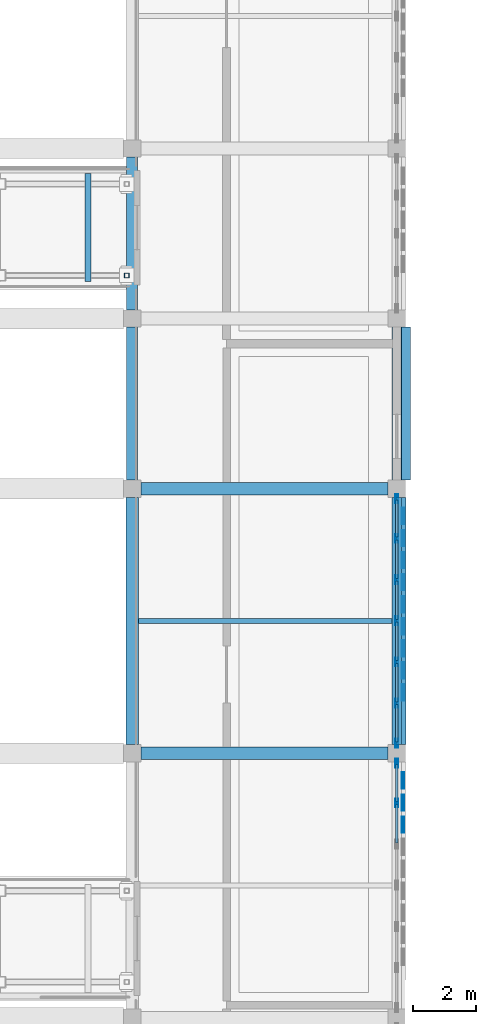
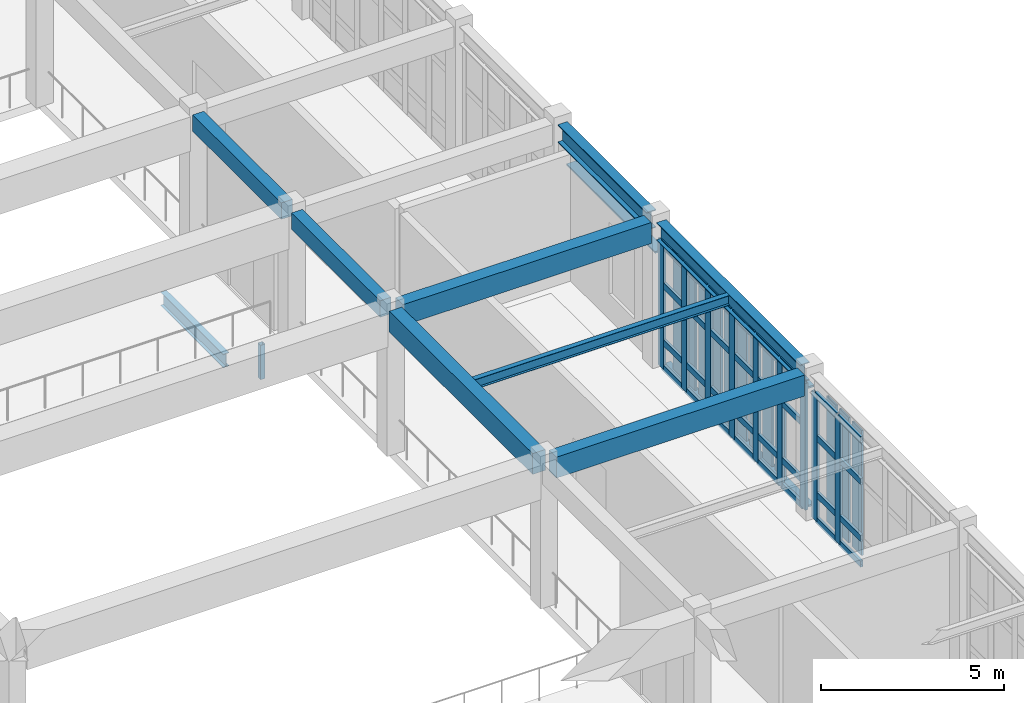
# One storey, part 28 of 77: 57 members, 9 beams, 2 elements without a shape of their own.
"""IFC4 building model written with IfcOpenShell, lengths in metres."""

import ifcopenshell
import ifcopenshell.guid

model = None  # the IFC model being written
_history = None  # IfcOwnerHistory: only IFC2X3 demands one
_inside = {}  # id of a spatial element -> (the spatial element, [elements in it])
_under = {}  # id of a project, library or spatial element -> (it, [spatial elements below it])
_declared = {}  # id of a project -> (the project, [libraries it declares])
_typed = {}  # id of a type object -> (the type object, [elements of that type])
_made_of = {}  # id of a material, layer set ... -> (it, [elements and type objects made of it])


def new_model(schema):
    """Start an empty IFC model of exactly this schema.

    Asked for "IFC4X3", IfcOpenShell would pick the latest addendum, in which some entities
    have other attributes; the version numbers below select the first issue.
    IFC2X3 requires an IfcOwnerHistory on every rooted entity: one is made here for all.
    """
    global model, _history
    if schema == "IFC4X3":
        model = ifcopenshell.file(schema_version=(4, 3, 0, 0))
    else:
        model = ifcopenshell.file(schema=schema)
    _inside.clear()
    _under.clear()
    _declared.clear()
    _typed.clear()
    _made_of.clear()
    _history = None
    if model.schema == "IFC2X3":
        org = make("IfcOrganization", Name="unknown")
        user = make(
            "IfcPersonAndOrganization",
            ThePerson=make("IfcPerson", FamilyName="unknown"),
            TheOrganization=org,
        )
        app = make(
            "IfcApplication",
            ApplicationDeveloper=org,
            Version="unknown",
            ApplicationFullName="unknown",
            ApplicationIdentifier="unknown",
        )
        _history = make(
            "IfcOwnerHistory",
            OwningUser=user,
            OwningApplication=app,
            ChangeAction="ADDED",
            CreationDate=0,
        )
    return model


def make(cls, **values):
    """One entity of the class cls with the attributes given. An attribute that is None is left unset."""
    return model.create_entity(
        cls, **{name: value for name, value in values.items() if value is not None}
    )


def rooted(cls, **values):
    """An entity with a GlobalId (a new one), such as an element, a storey or a relation."""
    return make(cls, GlobalId=ifcopenshell.guid.new(), OwnerHistory=_history, **values)


def si_unit(unit_type, name, prefix=None):
    """IfcSIUnit, for example si_unit("LENGTHUNIT", "METRE", prefix="MILLI")."""
    return make("IfcSIUnit", UnitType=unit_type, Prefix=prefix, Name=name)


def assignment(units):
    """IfcUnitAssignment: the units of a project."""
    return None if units is None else make("IfcUnitAssignment", Units=units)


def point(xyz):
    """IfcCartesianPoint."""
    return None if xyz is None else make("IfcCartesianPoint", Coordinates=xyz)


def direction(xyz):
    """IfcDirection."""
    return None if xyz is None else make("IfcDirection", DirectionRatios=xyz)


def frame(location, z_axis=None, x_axis=None):
    """IfcAxis2Placement3D, a coordinate frame: its origin and axes. An axis left out is left unset."""
    return make(
        "IfcAxis2Placement3D",
        Location=point(location),
        Axis=direction(z_axis),
        RefDirection=direction(x_axis),
    )


def frame_2d(location, x_axis=None):
    """IfcAxis2Placement2D, a coordinate frame in the plane: its origin and x axis."""
    return make(
        "IfcAxis2Placement2D", Location=point(location), RefDirection=direction(x_axis)
    )


def origin():
    """The frame at (0, 0, 0) with its axes left unset."""
    return frame((0.0, 0.0, 0.0))


def origin_2d():
    """The frame at (0, 0) in the plane with its x axis left unset."""
    return frame_2d((0.0, 0.0))


def place(relative_to, where):
    """IfcLocalPlacement: puts the frame where relative to a parent placement (None: the world)."""
    return make(
        "IfcLocalPlacement", PlacementRelTo=relative_to, RelativePlacement=where
    )


def context(
    kind, dimensions, precision=None, world=None, true_north=None, identifier=None
):
    """IfcGeometricRepresentationContext, for example the 3D "Model" context."""
    return make(
        "IfcGeometricRepresentationContext",
        ContextIdentifier=identifier,
        ContextType=kind,
        CoordinateSpaceDimension=dimensions,
        Precision=precision,
        WorldCoordinateSystem=world,
        TrueNorth=true_north,
    )


def subcontext(parent, identifier, kind, view, scale=None):
    """IfcGeometricRepresentationSubContext, for example "Body" below "Model"."""
    return make(
        "IfcGeometricRepresentationSubContext",
        ContextIdentifier=identifier,
        ContextType=kind,
        ParentContext=parent,
        TargetScale=scale,
        TargetView=view,
    )


def project(units=None, contexts=None):
    """IfcProject with its units and contexts."""
    return rooted(
        "IfcProject",
        Name="project",
        RepresentationContexts=contexts,
        UnitsInContext=assignment(units),
    )


def spatial(cls, under=None, at=None, **own):
    """A site, building, storey or space (cls), placed at a placement, below another one or the project."""
    s = rooted(cls, ObjectPlacement=at, **own)
    if under is not None:
        _under.setdefault(under.id(), (under, []))[1].append(s)
    return s


def profile(cls, at=None, kind="AREA", **sizes):
    """A parametric profile (cls). Its sizes go by their IFC names, for example OverallWidth=200.0."""
    return make(cls, ProfileType=kind, Position=at, **sizes)


def rectangle(**sizes):
    """IfcRectangleProfileDef."""
    return profile("IfcRectangleProfileDef", **sizes)


def hollow_rectangle(**sizes):
    """IfcRectangleHollowProfileDef."""
    return profile("IfcRectangleHollowProfileDef", **sizes)


def i_section(**sizes):
    """IfcIShapeProfileDef."""
    return profile("IfcIShapeProfileDef", **sizes)


def extrude(swept, where, along, depth):
    """IfcExtrudedAreaSolid: the profile swept, set in the frame where, extruded along a direction by depth."""
    return make(
        "IfcExtrudedAreaSolid",
        SweptArea=swept,
        Position=where,
        ExtrudedDirection=direction(along),
        Depth=depth,
    )


def shape(context_of_items, identifier, shape_type, items):
    """IfcShapeRepresentation: the items that make up one representation, for example the "Body"."""
    return make(
        "IfcShapeRepresentation",
        ContextOfItems=context_of_items,
        RepresentationIdentifier=identifier,
        RepresentationType=shape_type,
        Items=items,
    )


def material(Name=None, Category=None):
    """IfcMaterial."""
    return make("IfcMaterial", Name=Name, Category=Category)


def layer(
    of_material, thickness, ventilated=None, Name=None, Category=None, Priority=None
):
    """IfcMaterialLayer: one layer of a wall or slab, of a material (None: an air gap)."""
    return make(
        "IfcMaterialLayer",
        Material=of_material,
        LayerThickness=thickness,
        IsVentilated=ventilated,
        Name=Name,
        Category=Category,
        Priority=Priority,
    )


def layer_set(layers, Name=None):
    """IfcMaterialLayerSet."""
    return make("IfcMaterialLayerSet", MaterialLayers=layers, LayerSetName=Name)


def material_profile(
    of_material, cross_section, Name=None, Category=None, Priority=None
):
    """IfcMaterialProfile: a cross section and its material."""
    return make(
        "IfcMaterialProfile",
        Name=Name,
        Material=of_material,
        Profile=cross_section,
        Priority=Priority,
        Category=Category,
    )


def profile_set(profiles, Name=None, composite=None):
    """IfcMaterialProfileSet."""
    return make(
        "IfcMaterialProfileSet",
        Name=Name,
        MaterialProfiles=profiles,
        CompositeProfile=composite,
    )


def made_of(thing, what):
    """Note that an element or type object is made of a material, layer set ...; save() writes the relation."""
    if what is not None:
        _made_of.setdefault(what.id(), (what, []))[1].append(thing)
    return thing


def type_object(cls, material=None, **own):
    """A type object (cls), such as IfcWallType, which elements share."""
    return made_of(rooted(cls, **own), material)


def element(
    cls,
    number,
    at=None,
    inside=None,
    cuts=None,
    type_object=None,
    material=None,
    context=None,
    identifier="Body",
    shape_type=None,
    held_by="IfcProductDefinitionShape",
    body=None,
    shapes=None,
    **own,
):
    """One element of the class cls, such as IfcWall. Its Tag is "e" and its number.

    at: its placement. inside: the storey or other place that contains it. cuts: it is an
    opening in that element (IfcRelVoidsElement). A single representation is given by context,
    identifier, shape_type and body (its items); several are given by shapes. held_by: the class
    of the entity that holds the representations. save() writes the other relations.
    """
    e = rooted(cls, Tag="e%d" % number, ObjectPlacement=at, **own)
    if body is not None:
        shapes = [shape(context, identifier, shape_type, body)]
    if shapes is not None:
        e.Representation = make(held_by, Representations=shapes)
    if inside is not None:
        _inside.setdefault(inside.id(), (inside, []))[1].append(e)
    if cuts is not None:
        rooted(
            "IfcRelVoidsElement", RelatingBuildingElement=cuts, RelatedOpeningElement=e
        )
    if type_object is not None:
        _typed.setdefault(type_object.id(), (type_object, []))[1].append(e)
    return made_of(e, material)


def aggregate(whole, parts):
    """IfcRelAggregates: a whole, such as a stair, and the parts it consists of."""
    return rooted("IfcRelAggregates", RelatingObject=whole, RelatedObjects=parts)


def save(model, path):
    """Write the relations noted so far, then the file.

    IfcRelAggregates (storeys below a building ...), IfcRelContainedInSpatialStructure (elements
    in a storey), IfcRelDefinesByType, IfcRelAssociatesMaterial and IfcRelDeclares: one each for
    every whole, place, type object, material and project.
    """
    for whole, parts in _under.values():
        aggregate(whole, parts)
    for where, things in _inside.values():
        rooted(
            "IfcRelContainedInSpatialStructure",
            RelatedElements=things,
            RelatingStructure=where,
        )
    for kind, things in _typed.values():
        rooted("IfcRelDefinesByType", RelatedObjects=things, RelatingType=kind)
    for what, things in _made_of.values():
        rooted("IfcRelAssociatesMaterial", RelatedObjects=things, RelatingMaterial=what)
    for by, libraries in _declared.values():
        rooted("IfcRelDeclares", RelatingContext=by, RelatedDefinitions=libraries)
    model.write(path)


model = new_model("IFC4")

# Units and contexts
model_context = context("Model", 3, precision=1e-05, world=origin(), true_north=direction((0.0, 1.0)))
body_context = subcontext(model_context, "Body", "Model", "MODEL_VIEW")
ifc_project = project(units=[si_unit("LENGTHUNIT", "METRE"), si_unit("AREAUNIT", "SQUARE_METRE"), si_unit("VOLUMEUNIT", "CUBIC_METRE"), si_unit("PLANEANGLEUNIT", "RADIAN"), si_unit("MASSUNIT", "GRAM", prefix="KILO")], contexts=[model_context])

# Site, building, storey
site_placement = place(None, origin())
site = spatial("IfcSite", under=ifc_project, at=site_placement, CompositionType="ELEMENT")
building_placement = place(site_placement, origin())
building = spatial("IfcBuilding", under=site, at=building_placement, Name="Krzemoval Escarpment Law Courts", CompositionType="ELEMENT")
storey_placement = place(building_placement, frame((0.0, 0.0, 15.300048828125)))
storey = spatial("IfcBuildingStorey", under=building, at=storey_placement, Name="L03", CompositionType="ELEMENT", Elevation=15.300048828125)

# Beams
ifc_material_1 = material(Name="Concrete C40/50", Category="concrete")
ifc_material_profile_1 = material_profile(ifc_material_1, rectangle(XDim=0.35009765625, YDim=0.550048828125, at=origin_2d()), Name="RCB 350x550")
ifc_profile_set_1 = profile_set([ifc_material_profile_1], Name="Concrete C40/50")
beam_type_1 = type_object("IfcBeamType", Name="BM-RC-350x550", PredefinedType="BEAM", material=ifc_profile_set_1)
beam_1_placement = place(storey_placement, frame((33.60009765625, 74.675048828125, 4.56494140625), z_axis=(0.0, 1.0, 0.0), x_axis=(-1.0, 0.0, 0.0)))
element("IfcBeam", 1, at=beam_1_placement, inside=storey, type_object=beam_type_1, Name="Beam FG-L03-2255", PredefinedType="BEAM", context=body_context, shape_type="SweptSolid", body=[
    extrude(rectangle(XDim=0.35009765625, YDim=0.550048828125, at=origin_2d()), origin(), (0.0, 0.0, 1.0), 4.849853515625),
])
beam_2_placement = place(storey_placement, frame((33.60009765625, 80.074951171875, 4.56494140625), z_axis=(0.0, 1.0, 0.0), x_axis=(-1.0, 0.0, 0.0)))
element("IfcBeam", 2, at=beam_2_placement, inside=storey, type_object=beam_type_1, Name="Beam FG-L03-2256", PredefinedType="BEAM", context=body_context, shape_type="SweptSolid", body=[
    extrude(rectangle(XDim=0.35009765625, YDim=0.550048828125, at=origin_2d()), origin(), (0.0, 0.0, 1.0), 4.85009765625),
])
ifc_material_2 = material(Name="Concrete C40/50", Category="concrete")
ifc_material_profile_2 = material_profile(ifc_material_2, rectangle(XDim=0.39990234375, YDim=0.699951171875, at=origin_2d()), Name="RCB 400x700")
ifc_profile_set_2 = profile_set([ifc_material_profile_2], Name="Concrete C40/50")
beam_type_2 = type_object("IfcBeamType", Name="BM-RC-400x700", PredefinedType="BEAM", material=ifc_profile_set_2)
for number, where, z_axis, x_axis, name in (
    (3, (33.875, 66.0, 4.489990234375), (1.0, 0.0, 0.0), (0.0, 1.0, 0.0), "Beam FG-L03-2162"),
    (4, (33.875, 74.39990234375, 4.489990234375), (1.0, 0.0, 0.0), (0.0, 1.0, 0.0), "Beam FG-L03-2165"),
    (5, (33.60009765625, 66.27490234375, 4.489990234375), (0.0, 1.0, 0.0), (-1.0, 0.0, 0.0), "Beam FG-L03-2254"),
):
    element("IfcBeam", number, at=place(storey_placement, frame(where, z_axis=z_axis, x_axis=x_axis)), inside=storey, type_object=beam_type_2, Name=name, PredefinedType="BEAM", context=body_context, shape_type="SweptSolid", body=[
        extrude(rectangle(XDim=0.39990234375, YDim=0.699951171875, at=origin_2d()), origin(), (0.0, 0.0, 1.0), 7.85009765625),
    ])
ifc_material_3 = material(Name="Steel S355", Category="steel")
ifc_material_profile_3 = material_profile(ifc_material_3, i_section(OverallWidth=0.18994140625, OverallDepth=0.449951171875, WebThickness=0.009521484375, FlangeThickness=0.0146484375, at=origin_2d()), Name="IPE 450")
ifc_profile_set_3 = profile_set([ifc_material_profile_3], Name="Steel S355")
beam_type_3 = type_object("IfcBeamType", Name="BM-S355-IPE450", PredefinedType="BEAM", material=ifc_profile_set_3)
beam_3_placement = place(storey_placement, frame((32.199951171875, 80.969970703125, -0.525146484375), z_axis=(0.0, 1.0, 0.0), x_axis=(-1.0, 0.0, 0.0)))
element("IfcBeam", 6, at=beam_3_placement, inside=storey, type_object=beam_type_3, Name="Bridge Cross Beam BBMN-L03-05", PredefinedType="BEAM", context=body_context, shape_type="SweptSolid", body=[
    extrude(i_section(OverallWidth=0.18994140625, OverallDepth=0.449951171875, WebThickness=0.009521484375, FlangeThickness=0.0146484375, at=origin_2d()), origin(), (0.0, 0.0, 1.0), 3.429931640625),
])

# Curtain wall, members
ifc_material_4 = material(Name="Aluminium 6063-T6", Category="aluminium")
ifc_layer = layer(ifc_material_4, 0.280029296875)
ifc_layer_set = layer_set([ifc_layer], Name="Aluminium 6063-T6")
curtain_wall_type = type_object("IfcCurtainWallType", Name="CW-HALL-5100", PredefinedType="USERDEFINED", material=ifc_layer_set)
curtain_wall_1_placement = place(storey_placement, origin())
curtain_wall_1 = element("IfcCurtainWall", 7, at=curtain_wall_1_placement, inside=storey, type_object=curtain_wall_type, Name="Unitised Curtain Wall FCW-L03-108", ObjectType="UNITISED_CURTAIN_WALL", PredefinedType="USERDEFINED")
ifc_material_5 = material(Name="Aluminium 6063-T6", Category="aluminium")
ifc_material_profile_4 = material_profile(ifc_material_5, hollow_rectangle(XDim=0.0849609375, YDim=0.280029296875, WallThickness=0.005615234375, at=origin_2d()), Name="ALU M85x280")
ifc_profile_set_4 = profile_set([ifc_material_profile_4], Name="Aluminium 6063-T6")
member_type_1 = type_object("IfcMemberType", Name="CWM-85x280", PredefinedType="MULLION", material=ifc_profile_set_4)
member_1_placement = place(storey_placement, frame((42.0, 74.08251953125, 0.0), z_axis=(0.0, 0.0, 1.0), x_axis=(1.0, 0.0, 0.0)))
member_1 = element("IfcMember", 8, at=member_1_placement, type_object=member_type_1, Name="FCW-L03-108 mullion 1", PredefinedType="MULLION", context=body_context, shape_type="SweptSolid", body=[
    extrude(hollow_rectangle(XDim=0.0849609375, YDim=0.280029296875, WallThickness=0.005615234375, at=origin_2d()), origin(), (0.0, 0.0, 1.0), 4.239990234375),
])
member_2_placement = place(storey_placement, frame((42.0, 72.816650390625, 0.0), z_axis=(0.0, 0.0, 1.0), x_axis=(1.0, 0.0, 0.0)))
member_2 = element("IfcMember", 9, at=member_2_placement, type_object=member_type_1, Name="FCW-L03-108 mullion 2", PredefinedType="MULLION", context=body_context, shape_type="SweptSolid", body=[
    extrude(hollow_rectangle(XDim=0.0849609375, YDim=0.280029296875, WallThickness=0.005615234375, at=origin_2d()), origin(), (0.0, 0.0, 1.0), 4.239990234375),
])
member_3_placement = place(storey_placement, frame((42.0, 71.50830078125, 0.0), z_axis=(0.0, 0.0, 1.0), x_axis=(1.0, 0.0, 0.0)))
member_3 = element("IfcMember", 10, at=member_3_placement, type_object=member_type_1, Name="FCW-L03-108 mullion 3", PredefinedType="MULLION", context=body_context, shape_type="SweptSolid", body=[
    extrude(hollow_rectangle(XDim=0.0849609375, YDim=0.280029296875, WallThickness=0.005615234375, at=origin_2d()), origin(), (0.0, 0.0, 1.0), 4.239990234375),
])
member_4_placement = place(storey_placement, frame((42.0, 70.199951171875, 0.0), z_axis=(0.0, 0.0, 1.0), x_axis=(1.0, 0.0, 0.0)))
member_4 = element("IfcMember", 11, at=member_4_placement, type_object=member_type_1, Name="FCW-L03-108 mullion 4", PredefinedType="MULLION", context=body_context, shape_type="SweptSolid", body=[
    extrude(hollow_rectangle(XDim=0.0849609375, YDim=0.280029296875, WallThickness=0.005615234375, at=origin_2d()), origin(), (0.0, 0.0, 1.0), 4.239990234375),
])
member_5_placement = place(storey_placement, frame((42.0, 68.8916015625, 0.0), z_axis=(0.0, 0.0, 1.0), x_axis=(1.0, 0.0, 0.0)))
member_5 = element("IfcMember", 12, at=member_5_placement, type_object=member_type_1, Name="FCW-L03-108 mullion 5", PredefinedType="MULLION", context=body_context, shape_type="SweptSolid", body=[
    extrude(hollow_rectangle(XDim=0.0849609375, YDim=0.280029296875, WallThickness=0.005615234375, at=origin_2d()), origin(), (0.0, 0.0, 1.0), 4.239990234375),
])
member_6_placement = place(storey_placement, frame((42.0, 67.583251953125, 0.0), z_axis=(0.0, 0.0, 1.0), x_axis=(1.0, 0.0, 0.0)))
member_6 = element("IfcMember", 13, at=member_6_placement, type_object=member_type_1, Name="FCW-L03-108 mullion 6", PredefinedType="MULLION", context=body_context, shape_type="SweptSolid", body=[
    extrude(hollow_rectangle(XDim=0.0849609375, YDim=0.280029296875, WallThickness=0.005615234375, at=origin_2d()), origin(), (0.0, 0.0, 1.0), 4.239990234375),
])
member_7_placement = place(storey_placement, frame((42.0, 66.3173828125, 0.0), z_axis=(0.0, 0.0, 1.0), x_axis=(1.0, 0.0, 0.0)))
member_7 = element("IfcMember", 14, at=member_7_placement, type_object=member_type_1, Name="FCW-L03-108 mullion 7", PredefinedType="MULLION", context=body_context, shape_type="SweptSolid", body=[
    extrude(hollow_rectangle(XDim=0.0849609375, YDim=0.280029296875, WallThickness=0.005615234375, at=origin_2d()), origin(), (0.0, 0.0, 1.0), 4.239990234375),
])

curtain_wall_2_placement = place(storey_placement, origin())
curtain_wall_2 = element("IfcCurtainWall", 15, at=curtain_wall_2_placement, inside=storey, type_object=curtain_wall_type, Name="Unitised Curtain Wall FCW-L03-109", ObjectType="UNITISED_CURTAIN_WALL", PredefinedType="USERDEFINED")
member_8_placement = place(storey_placement, frame((42.0, 65.6826171875, 0.0), z_axis=(0.0, 0.0, 1.0), x_axis=(1.0, 0.0, 0.0)))
member_8 = element("IfcMember", 16, at=member_8_placement, type_object=member_type_1, Name="FCW-L03-109 mullion 1", PredefinedType="MULLION", context=body_context, shape_type="SweptSolid", body=[
    extrude(hollow_rectangle(XDim=0.0849609375, YDim=0.280029296875, WallThickness=0.005615234375, at=origin_2d()), origin(), (0.0, 0.0, 1.0), 4.239990234375),
])
member_9_placement = place(storey_placement, frame((42.0, 64.416748046875, 0.0), z_axis=(0.0, 0.0, 1.0), x_axis=(1.0, 0.0, 0.0)))
member_9 = element("IfcMember", 17, at=member_9_placement, type_object=member_type_1, Name="FCW-L03-109 mullion 2", PredefinedType="MULLION", context=body_context, shape_type="SweptSolid", body=[
    extrude(hollow_rectangle(XDim=0.0849609375, YDim=0.280029296875, WallThickness=0.005615234375, at=origin_2d()), origin(), (0.0, 0.0, 1.0), 4.239990234375),
])

# Member
ifc_material_6 = material(Name="Aluminium 6063-T6", Category="aluminium")
ifc_material_profile_5 = material_profile(ifc_material_6, hollow_rectangle(XDim=0.0849609375, YDim=0.2099609375, WallThickness=0.005615234375, at=origin_2d()), Name="ALU T85x210")
ifc_profile_set_5 = profile_set([ifc_material_profile_5], Name="Aluminium 6063-T6")
member_type_2 = type_object("IfcMemberType", Name="CWT-85x210", PredefinedType="USERDEFINED", material=ifc_profile_set_5)
member_10_placement = place(storey_placement, frame((42.0, 74.0400390625, 0.04248046875), z_axis=(0.0, -1.0, 0.0), x_axis=(1.0, 0.0, 0.0)))
member_10 = element("IfcMember", 18, at=member_10_placement, type_object=member_type_2, Name="FCW-L03-108 transom 1.1", ObjectType="TRANSOM", PredefinedType="USERDEFINED", context=body_context, shape_type="SweptSolid", body=[
    extrude(hollow_rectangle(XDim=0.0849609375, YDim=0.2099609375, WallThickness=0.005615234375, at=origin_2d()), origin(), (0.0, 0.0, 1.0), 1.180908203125),
])

member_11_placement = place(storey_placement, frame((42.0, 74.0400390625, 0.89990234375), z_axis=(0.0, -1.0, 0.0), x_axis=(1.0, 0.0, 0.0)))
member_11 = element("IfcMember", 19, at=member_11_placement, type_object=member_type_2, Name="FCW-L03-108 transom 1.2", ObjectType="TRANSOM", PredefinedType="USERDEFINED", context=body_context, shape_type="SweptSolid", body=[
    extrude(hollow_rectangle(XDim=0.0849609375, YDim=0.2099609375, WallThickness=0.005615234375, at=origin_2d()), origin(), (0.0, 0.0, 1.0), 1.180908203125),
])

member_12_placement = place(storey_placement, frame((42.0, 74.0400390625, 2.800048828125), z_axis=(0.0, -1.0, 0.0), x_axis=(1.0, 0.0, 0.0)))
member_12 = element("IfcMember", 20, at=member_12_placement, type_object=member_type_2, Name="FCW-L03-108 transom 1.3", ObjectType="TRANSOM", PredefinedType="USERDEFINED", context=body_context, shape_type="SweptSolid", body=[
    extrude(hollow_rectangle(XDim=0.0849609375, YDim=0.2099609375, WallThickness=0.005615234375, at=origin_2d()), origin(), (0.0, 0.0, 1.0), 1.180908203125),
])

member_13_placement = place(storey_placement, frame((42.0, 74.0400390625, 4.197509765625), z_axis=(0.0, -1.0, 0.0), x_axis=(1.0, 0.0, 0.0)))
member_13 = element("IfcMember", 21, at=member_13_placement, type_object=member_type_2, Name="FCW-L03-108 transom 1.4", ObjectType="TRANSOM", PredefinedType="USERDEFINED", context=body_context, shape_type="SweptSolid", body=[
    extrude(hollow_rectangle(XDim=0.0849609375, YDim=0.2099609375, WallThickness=0.005615234375, at=origin_2d()), origin(), (0.0, 0.0, 1.0), 1.180908203125),
])

member_14_placement = place(storey_placement, frame((42.0, 72.774169921875, 0.04248046875), z_axis=(0.0, -1.0, 0.0), x_axis=(1.0, 0.0, 0.0)))
member_14 = element("IfcMember", 22, at=member_14_placement, type_object=member_type_2, Name="FCW-L03-108 transom 2.1", ObjectType="TRANSOM", PredefinedType="USERDEFINED", context=body_context, shape_type="SweptSolid", body=[
    extrude(hollow_rectangle(XDim=0.0849609375, YDim=0.2099609375, WallThickness=0.005615234375, at=origin_2d()), origin(), (0.0, 0.0, 1.0), 1.223388671875),
])

member_15_placement = place(storey_placement, frame((42.0, 72.774169921875, 0.89990234375), z_axis=(0.0, -1.0, 0.0), x_axis=(1.0, 0.0, 0.0)))
member_15 = element("IfcMember", 23, at=member_15_placement, type_object=member_type_2, Name="FCW-L03-108 transom 2.2", ObjectType="TRANSOM", PredefinedType="USERDEFINED", context=body_context, shape_type="SweptSolid", body=[
    extrude(hollow_rectangle(XDim=0.0849609375, YDim=0.2099609375, WallThickness=0.005615234375, at=origin_2d()), origin(), (0.0, 0.0, 1.0), 1.223388671875),
])

member_16_placement = place(storey_placement, frame((42.0, 72.774169921875, 2.800048828125), z_axis=(0.0, -1.0, 0.0), x_axis=(1.0, 0.0, 0.0)))
member_16 = element("IfcMember", 24, at=member_16_placement, type_object=member_type_2, Name="FCW-L03-108 transom 2.3", ObjectType="TRANSOM", PredefinedType="USERDEFINED", context=body_context, shape_type="SweptSolid", body=[
    extrude(hollow_rectangle(XDim=0.0849609375, YDim=0.2099609375, WallThickness=0.005615234375, at=origin_2d()), origin(), (0.0, 0.0, 1.0), 1.223388671875),
])

member_17_placement = place(storey_placement, frame((42.0, 72.774169921875, 4.197509765625), z_axis=(0.0, -1.0, 0.0), x_axis=(1.0, 0.0, 0.0)))
member_17 = element("IfcMember", 25, at=member_17_placement, type_object=member_type_2, Name="FCW-L03-108 transom 2.4", ObjectType="TRANSOM", PredefinedType="USERDEFINED", context=body_context, shape_type="SweptSolid", body=[
    extrude(hollow_rectangle(XDim=0.0849609375, YDim=0.2099609375, WallThickness=0.005615234375, at=origin_2d()), origin(), (0.0, 0.0, 1.0), 1.223388671875),
])

member_18_placement = place(storey_placement, frame((42.0, 71.4658203125, 0.04248046875), z_axis=(0.0, -1.0, 0.0), x_axis=(1.0, 0.0, 0.0)))
member_18 = element("IfcMember", 26, at=member_18_placement, type_object=member_type_2, Name="FCW-L03-108 transom 3.1", ObjectType="TRANSOM", PredefinedType="USERDEFINED", context=body_context, shape_type="SweptSolid", body=[
    extrude(hollow_rectangle(XDim=0.0849609375, YDim=0.2099609375, WallThickness=0.005615234375, at=origin_2d()), origin(), (0.0, 0.0, 1.0), 1.223388671875),
])

member_19_placement = place(storey_placement, frame((42.0, 71.4658203125, 0.89990234375), z_axis=(0.0, -1.0, 0.0), x_axis=(1.0, 0.0, 0.0)))
member_19 = element("IfcMember", 27, at=member_19_placement, type_object=member_type_2, Name="FCW-L03-108 transom 3.2", ObjectType="TRANSOM", PredefinedType="USERDEFINED", context=body_context, shape_type="SweptSolid", body=[
    extrude(hollow_rectangle(XDim=0.0849609375, YDim=0.2099609375, WallThickness=0.005615234375, at=origin_2d()), origin(), (0.0, 0.0, 1.0), 1.223388671875),
])

member_20_placement = place(storey_placement, frame((42.0, 71.4658203125, 2.800048828125), z_axis=(0.0, -1.0, 0.0), x_axis=(1.0, 0.0, 0.0)))
member_20 = element("IfcMember", 28, at=member_20_placement, type_object=member_type_2, Name="FCW-L03-108 transom 3.3", ObjectType="TRANSOM", PredefinedType="USERDEFINED", context=body_context, shape_type="SweptSolid", body=[
    extrude(hollow_rectangle(XDim=0.0849609375, YDim=0.2099609375, WallThickness=0.005615234375, at=origin_2d()), origin(), (0.0, 0.0, 1.0), 1.223388671875),
])

member_21_placement = place(storey_placement, frame((42.0, 71.4658203125, 4.197509765625), z_axis=(0.0, -1.0, 0.0), x_axis=(1.0, 0.0, 0.0)))
member_21 = element("IfcMember", 29, at=member_21_placement, type_object=member_type_2, Name="FCW-L03-108 transom 3.4", ObjectType="TRANSOM", PredefinedType="USERDEFINED", context=body_context, shape_type="SweptSolid", body=[
    extrude(hollow_rectangle(XDim=0.0849609375, YDim=0.2099609375, WallThickness=0.005615234375, at=origin_2d()), origin(), (0.0, 0.0, 1.0), 1.223388671875),
])

member_22_placement = place(storey_placement, frame((42.0, 70.157470703125, 0.04248046875), z_axis=(0.0, -1.0, 0.0), x_axis=(1.0, 0.0, 0.0)))
member_22 = element("IfcMember", 30, at=member_22_placement, type_object=member_type_2, Name="FCW-L03-108 transom 4.1", ObjectType="TRANSOM", PredefinedType="USERDEFINED", context=body_context, shape_type="SweptSolid", body=[
    extrude(hollow_rectangle(XDim=0.0849609375, YDim=0.2099609375, WallThickness=0.005615234375, at=origin_2d()), origin(), (0.0, 0.0, 1.0), 1.223388671875),
])

member_23_placement = place(storey_placement, frame((42.0, 70.157470703125, 0.89990234375), z_axis=(0.0, -1.0, 0.0), x_axis=(1.0, 0.0, 0.0)))
member_23 = element("IfcMember", 31, at=member_23_placement, type_object=member_type_2, Name="FCW-L03-108 transom 4.2", ObjectType="TRANSOM", PredefinedType="USERDEFINED", context=body_context, shape_type="SweptSolid", body=[
    extrude(hollow_rectangle(XDim=0.0849609375, YDim=0.2099609375, WallThickness=0.005615234375, at=origin_2d()), origin(), (0.0, 0.0, 1.0), 1.223388671875),
])

member_24_placement = place(storey_placement, frame((42.0, 70.157470703125, 2.800048828125), z_axis=(0.0, -1.0, 0.0), x_axis=(1.0, 0.0, 0.0)))
member_24 = element("IfcMember", 32, at=member_24_placement, type_object=member_type_2, Name="FCW-L03-108 transom 4.3", ObjectType="TRANSOM", PredefinedType="USERDEFINED", context=body_context, shape_type="SweptSolid", body=[
    extrude(hollow_rectangle(XDim=0.0849609375, YDim=0.2099609375, WallThickness=0.005615234375, at=origin_2d()), origin(), (0.0, 0.0, 1.0), 1.223388671875),
])

member_25_placement = place(storey_placement, frame((42.0, 70.157470703125, 4.197509765625), z_axis=(0.0, -1.0, 0.0), x_axis=(1.0, 0.0, 0.0)))
member_25 = element("IfcMember", 33, at=member_25_placement, type_object=member_type_2, Name="FCW-L03-108 transom 4.4", ObjectType="TRANSOM", PredefinedType="USERDEFINED", context=body_context, shape_type="SweptSolid", body=[
    extrude(hollow_rectangle(XDim=0.0849609375, YDim=0.2099609375, WallThickness=0.005615234375, at=origin_2d()), origin(), (0.0, 0.0, 1.0), 1.223388671875),
])

member_26_placement = place(storey_placement, frame((42.0, 68.84912109375, 0.04248046875), z_axis=(0.0, -1.0, 0.0), x_axis=(1.0, 0.0, 0.0)))
member_26 = element("IfcMember", 34, at=member_26_placement, type_object=member_type_2, Name="FCW-L03-108 transom 5.1", ObjectType="TRANSOM", PredefinedType="USERDEFINED", context=body_context, shape_type="SweptSolid", body=[
    extrude(hollow_rectangle(XDim=0.0849609375, YDim=0.2099609375, WallThickness=0.005615234375, at=origin_2d()), origin(), (0.0, 0.0, 1.0), 1.223388671875),
])

member_27_placement = place(storey_placement, frame((42.0, 68.84912109375, 0.89990234375), z_axis=(0.0, -1.0, 0.0), x_axis=(1.0, 0.0, 0.0)))
member_27 = element("IfcMember", 35, at=member_27_placement, type_object=member_type_2, Name="FCW-L03-108 transom 5.2", ObjectType="TRANSOM", PredefinedType="USERDEFINED", context=body_context, shape_type="SweptSolid", body=[
    extrude(hollow_rectangle(XDim=0.0849609375, YDim=0.2099609375, WallThickness=0.005615234375, at=origin_2d()), origin(), (0.0, 0.0, 1.0), 1.223388671875),
])

member_28_placement = place(storey_placement, frame((42.0, 68.84912109375, 2.800048828125), z_axis=(0.0, -1.0, 0.0), x_axis=(1.0, 0.0, 0.0)))
member_28 = element("IfcMember", 36, at=member_28_placement, type_object=member_type_2, Name="FCW-L03-108 transom 5.3", ObjectType="TRANSOM", PredefinedType="USERDEFINED", context=body_context, shape_type="SweptSolid", body=[
    extrude(hollow_rectangle(XDim=0.0849609375, YDim=0.2099609375, WallThickness=0.005615234375, at=origin_2d()), origin(), (0.0, 0.0, 1.0), 1.223388671875),
])

member_29_placement = place(storey_placement, frame((42.0, 68.84912109375, 4.197509765625), z_axis=(0.0, -1.0, 0.0), x_axis=(1.0, 0.0, 0.0)))
member_29 = element("IfcMember", 37, at=member_29_placement, type_object=member_type_2, Name="FCW-L03-108 transom 5.4", ObjectType="TRANSOM", PredefinedType="USERDEFINED", context=body_context, shape_type="SweptSolid", body=[
    extrude(hollow_rectangle(XDim=0.0849609375, YDim=0.2099609375, WallThickness=0.005615234375, at=origin_2d()), origin(), (0.0, 0.0, 1.0), 1.223388671875),
])

member_30_placement = place(storey_placement, frame((42.0, 67.540771484375, 0.04248046875), z_axis=(0.0, -1.0, 0.0), x_axis=(1.0, 0.0, 0.0)))
member_30 = element("IfcMember", 38, at=member_30_placement, type_object=member_type_2, Name="FCW-L03-108 transom 6.1", ObjectType="TRANSOM", PredefinedType="USERDEFINED", context=body_context, shape_type="SweptSolid", body=[
    extrude(hollow_rectangle(XDim=0.0849609375, YDim=0.2099609375, WallThickness=0.005615234375, at=origin_2d()), origin(), (0.0, 0.0, 1.0), 1.1806640625),
])

member_31_placement = place(storey_placement, frame((42.0, 67.540771484375, 0.89990234375), z_axis=(0.0, -1.0, 0.0), x_axis=(1.0, 0.0, 0.0)))
member_31 = element("IfcMember", 39, at=member_31_placement, type_object=member_type_2, Name="FCW-L03-108 transom 6.2", ObjectType="TRANSOM", PredefinedType="USERDEFINED", context=body_context, shape_type="SweptSolid", body=[
    extrude(hollow_rectangle(XDim=0.0849609375, YDim=0.2099609375, WallThickness=0.005615234375, at=origin_2d()), origin(), (0.0, 0.0, 1.0), 1.1806640625),
])

member_32_placement = place(storey_placement, frame((42.0, 67.540771484375, 2.800048828125), z_axis=(0.0, -1.0, 0.0), x_axis=(1.0, 0.0, 0.0)))
member_32 = element("IfcMember", 40, at=member_32_placement, type_object=member_type_2, Name="FCW-L03-108 transom 6.3", ObjectType="TRANSOM", PredefinedType="USERDEFINED", context=body_context, shape_type="SweptSolid", body=[
    extrude(hollow_rectangle(XDim=0.0849609375, YDim=0.2099609375, WallThickness=0.005615234375, at=origin_2d()), origin(), (0.0, 0.0, 1.0), 1.1806640625),
])

member_33_placement = place(storey_placement, frame((42.0, 67.540771484375, 4.197509765625), z_axis=(0.0, -1.0, 0.0), x_axis=(1.0, 0.0, 0.0)))
member_33 = element("IfcMember", 41, at=member_33_placement, type_object=member_type_2, Name="FCW-L03-108 transom 6.4", ObjectType="TRANSOM", PredefinedType="USERDEFINED", context=body_context, shape_type="SweptSolid", body=[
    extrude(hollow_rectangle(XDim=0.0849609375, YDim=0.2099609375, WallThickness=0.005615234375, at=origin_2d()), origin(), (0.0, 0.0, 1.0), 1.1806640625),
])

aggregate(curtain_wall_1, [member_1, member_2, member_3, member_4, member_5, member_6, member_7, member_10, member_11, member_12, member_13, member_14, member_15, member_16, member_17, member_18, member_19, member_20, member_21, member_22, member_23, member_24, member_25, member_26, member_27, member_28, member_29, member_30, member_31, member_32, member_33])

member_34_placement = place(storey_placement, frame((42.0, 65.639892578125, 0.04248046875), z_axis=(0.0, -1.0, 0.0), x_axis=(1.0, 0.0, 0.0)))
member_34 = element("IfcMember", 42, at=member_34_placement, type_object=member_type_2, Name="FCW-L03-109 transom 1.1", ObjectType="TRANSOM", PredefinedType="USERDEFINED", context=body_context, shape_type="SweptSolid", body=[
    extrude(hollow_rectangle(XDim=0.0849609375, YDim=0.2099609375, WallThickness=0.005615234375, at=origin_2d()), origin(), (0.0, 0.0, 1.0), 1.1806640625),
])

member_35_placement = place(storey_placement, frame((42.0, 65.639892578125, 0.89990234375), z_axis=(0.0, -1.0, 0.0), x_axis=(1.0, 0.0, 0.0)))
member_35 = element("IfcMember", 43, at=member_35_placement, type_object=member_type_2, Name="FCW-L03-109 transom 1.2", ObjectType="TRANSOM", PredefinedType="USERDEFINED", context=body_context, shape_type="SweptSolid", body=[
    extrude(hollow_rectangle(XDim=0.0849609375, YDim=0.2099609375, WallThickness=0.005615234375, at=origin_2d()), origin(), (0.0, 0.0, 1.0), 1.1806640625),
])

member_36_placement = place(storey_placement, frame((42.0, 65.639892578125, 2.800048828125), z_axis=(0.0, -1.0, 0.0), x_axis=(1.0, 0.0, 0.0)))
member_36 = element("IfcMember", 44, at=member_36_placement, type_object=member_type_2, Name="FCW-L03-109 transom 1.3", ObjectType="TRANSOM", PredefinedType="USERDEFINED", context=body_context, shape_type="SweptSolid", body=[
    extrude(hollow_rectangle(XDim=0.0849609375, YDim=0.2099609375, WallThickness=0.005615234375, at=origin_2d()), origin(), (0.0, 0.0, 1.0), 1.1806640625),
])

member_37_placement = place(storey_placement, frame((42.0, 65.639892578125, 4.197509765625), z_axis=(0.0, -1.0, 0.0), x_axis=(1.0, 0.0, 0.0)))
member_37 = element("IfcMember", 45, at=member_37_placement, type_object=member_type_2, Name="FCW-L03-109 transom 1.4", ObjectType="TRANSOM", PredefinedType="USERDEFINED", context=body_context, shape_type="SweptSolid", body=[
    extrude(hollow_rectangle(XDim=0.0849609375, YDim=0.2099609375, WallThickness=0.005615234375, at=origin_2d()), origin(), (0.0, 0.0, 1.0), 1.1806640625),
])

member_38_placement = place(storey_placement, frame((42.0, 64.374267578125, 0.04248046875), z_axis=(0.0, -1.0, 0.0), x_axis=(1.0, 0.0, 0.0)))
member_38 = element("IfcMember", 46, at=member_38_placement, type_object=member_type_2, Name="FCW-L03-109 transom 2.1", ObjectType="TRANSOM", PredefinedType="USERDEFINED", context=body_context, shape_type="SweptSolid", body=[
    extrude(hollow_rectangle(XDim=0.0849609375, YDim=0.2099609375, WallThickness=0.005615234375, at=origin_2d()), origin(), (0.0, 0.0, 1.0), 1.223388671875),
])

member_39_placement = place(storey_placement, frame((42.0, 64.374267578125, 0.89990234375), z_axis=(0.0, -1.0, 0.0), x_axis=(1.0, 0.0, 0.0)))
member_39 = element("IfcMember", 47, at=member_39_placement, type_object=member_type_2, Name="FCW-L03-109 transom 2.2", ObjectType="TRANSOM", PredefinedType="USERDEFINED", context=body_context, shape_type="SweptSolid", body=[
    extrude(hollow_rectangle(XDim=0.0849609375, YDim=0.2099609375, WallThickness=0.005615234375, at=origin_2d()), origin(), (0.0, 0.0, 1.0), 1.223388671875),
])

member_40_placement = place(storey_placement, frame((42.0, 64.374267578125, 2.800048828125), z_axis=(0.0, -1.0, 0.0), x_axis=(1.0, 0.0, 0.0)))
member_40 = element("IfcMember", 48, at=member_40_placement, type_object=member_type_2, Name="FCW-L03-109 transom 2.3", ObjectType="TRANSOM", PredefinedType="USERDEFINED", context=body_context, shape_type="SweptSolid", body=[
    extrude(hollow_rectangle(XDim=0.0849609375, YDim=0.2099609375, WallThickness=0.005615234375, at=origin_2d()), origin(), (0.0, 0.0, 1.0), 1.223388671875),
])

member_41_placement = place(storey_placement, frame((42.0, 64.374267578125, 4.197509765625), z_axis=(0.0, -1.0, 0.0), x_axis=(1.0, 0.0, 0.0)))
member_41 = element("IfcMember", 49, at=member_41_placement, type_object=member_type_2, Name="FCW-L03-109 transom 2.4", ObjectType="TRANSOM", PredefinedType="USERDEFINED", context=body_context, shape_type="SweptSolid", body=[
    extrude(hollow_rectangle(XDim=0.0849609375, YDim=0.2099609375, WallThickness=0.005615234375, at=origin_2d()), origin(), (0.0, 0.0, 1.0), 1.223388671875),
])

aggregate(curtain_wall_2, [member_8, member_9, member_34, member_35, member_36, member_37, member_38, member_39, member_40, member_41])

# Beam
ifc_material_7 = material(Name="Steel S355", Category="steel")
ifc_material_profile_6 = material_profile(ifc_material_7, i_section(OverallWidth=0.159912109375, OverallDepth=0.330078125, WebThickness=0.007568359375, FlangeThickness=0.011474609375, at=origin_2d()), Name="IPE 330")
ifc_profile_set_6 = profile_set([ifc_material_profile_6], Name="Steel S355")
beam_type_4 = type_object("IfcBeamType", Name="JST-S355-IPE330", PredefinedType="JOIST", material=ifc_profile_set_6)
beam_4_placement = place(storey_placement, frame((33.800048828125, 70.199951171875, 4.675048828125), z_axis=(1.0, 0.0, 0.0), x_axis=(0.0, 1.0, 0.0)))
element("IfcBeam", 50, at=beam_4_placement, inside=storey, type_object=beam_type_4, Name="Secondary Joist FJ-L03-2376", PredefinedType="JOIST", context=body_context, shape_type="SweptSolid", body=[
    extrude(i_section(OverallWidth=0.159912109375, OverallDepth=0.330078125, WebThickness=0.007568359375, FlangeThickness=0.011474609375, at=origin_2d()), origin(), (0.0, 0.0, 1.0), 8.050048828125),
])

# Members
ifc_material_8 = material(Name="Anodised Aluminium Alloy 6063-T6", Category="aluminium")
ifc_material_profile_7 = material_profile(ifc_material_8, hollow_rectangle(XDim=0.06005859375, YDim=0.320068359375, WallThickness=0.00390625, at=origin_2d()), Name="ALU LVR 60x320")
ifc_profile_set_7 = profile_set([ifc_material_profile_7], Name="Anodised Aluminium Alloy 6063-T6")
member_type_3 = type_object("IfcMemberType", Name="LVR-ALU-320", PredefinedType="USERDEFINED", material=ifc_profile_set_7)
member_42_placement = place(storey_placement, frame((42.280029296875, 79.52490234375, 3.409912109375), z_axis=(0.0, -1.0, 0.0), x_axis=(0.0, 0.0, 1.0)))
element("IfcMember", 51, at=member_42_placement, inside=storey, type_object=member_type_3, Name="Window Sunshade Louvre FLV-L03-0716", ObjectType="SUNSHADE_LOUVRE", PredefinedType="USERDEFINED", context=body_context, shape_type="SweptSolid", body=[
    extrude(hollow_rectangle(XDim=0.06005859375, YDim=0.320068359375, WallThickness=0.00390625, at=origin_2d()), origin(), (0.0, 0.0, 1.0), 4.849853515625),
])
for number, where, z_axis, x_axis, name in (
    (52, (42.139892578125, 74.125, 0.030029296875), (0.0, -1.0, 0.0), (0.0, 0.0, 1.0), "Sunshade Support Rail FSR-L03-0717"),
    (53, (42.139892578125, 74.125, 3.989990234375), (0.0, -1.0, 0.0), (0.0, 0.0, 1.0), "Sunshade Support Rail FSR-L03-0718"),
):
    element("IfcMember", number, at=place(storey_placement, frame(where, z_axis=z_axis, x_axis=x_axis)), inside=storey, type_object=member_type_3, Name=name, ObjectType="SUNSHADE_LOUVRE", PredefinedType="USERDEFINED", context=body_context, shape_type="SweptSolid", body=[
        extrude(hollow_rectangle(XDim=0.06005859375, YDim=0.320068359375, WallThickness=0.00390625, at=origin_2d()), origin(), (0.0, 0.0, 1.0), 7.85009765625),
    ])
ifc_material_9 = material(Name="Anodised Aluminium Alloy 6063-T6", Category="aluminium")
ifc_material_profile_8 = material_profile(ifc_material_9, hollow_rectangle(XDim=0.06494140625, YDim=0.52001953125, WallThickness=0.00439453125, at=origin_2d()), Name="ALU LVR 65x520")
ifc_profile_set_8 = profile_set([ifc_material_profile_8], Name="Anodised Aluminium Alloy 6063-T6")
member_type_4 = type_object("IfcMemberType", Name="LVR-ALU-520", PredefinedType="USERDEFINED", material=ifc_profile_set_8)
for number, where, z_axis, x_axis, name in (
    (54, (42.199951171875, 73.52490234375, 0.06005859375), (0.0, 0.0, 1.0), (1.0, 0.0, 0.0), "Sunshade Louvre Fin FLV-L03-0719"),
    (55, (42.199951171875, 72.824951171875, 0.06005859375), (0.0, 0.0, 1.0), (1.0, 0.0, 0.0), "Sunshade Louvre Fin FLV-L03-0720"),
    (56, (42.199951171875, 72.125, 0.06005859375), (0.0, 0.0, 1.0), (1.0, 0.0, 0.0), "Sunshade Louvre Fin FLV-L03-0721"),
    (57, (42.199951171875, 71.425048828125, 0.06005859375), (0.0, 0.0, 1.0), (1.0, 0.0, 0.0), "Sunshade Louvre Fin FLV-L03-0722"),
    (58, (42.199951171875, 70.72509765625, 0.06005859375), (0.0, 0.0, 1.0), (1.0, 0.0, 0.0), "Sunshade Louvre Fin FLV-L03-0723"),
    (59, (42.199951171875, 70.02490234375, 0.06005859375), (0.0, 0.0, 1.0), (1.0, 0.0, 0.0), "Sunshade Louvre Fin FLV-L03-0724"),
    (60, (42.199951171875, 69.324951171875, 0.06005859375), (0.0, 0.0, 1.0), (1.0, 0.0, 0.0), "Sunshade Louvre Fin FLV-L03-0725"),
    (61, (42.199951171875, 68.625, 0.06005859375), (0.0, 0.0, 1.0), (1.0, 0.0, 0.0), "Sunshade Louvre Fin FLV-L03-0726"),
    (62, (42.199951171875, 67.925048828125, 0.06005859375), (0.0, 0.0, 1.0), (1.0, 0.0, 0.0), "Sunshade Louvre Fin FLV-L03-0727"),
    (63, (42.199951171875, 65.125, 0.06005859375), (0.0, 0.0, 1.0), (1.0, 0.0, 0.0), "Sunshade Louvre Fin FLV-L03-0730"),
    (64, (42.199951171875, 64.425048828125, 0.06005859375), (0.0, 0.0, 1.0), (1.0, 0.0, 0.0), "Sunshade Louvre Fin FLV-L03-0731"),
    (65, (42.199951171875, 63.72509765625, 0.06005859375), (0.0, 0.0, 1.0), (1.0, 0.0, 0.0), "Sunshade Louvre Fin FLV-L03-0732"),
):
    element("IfcMember", number, at=place(storey_placement, frame(where, z_axis=z_axis, x_axis=x_axis)), inside=storey, type_object=member_type_4, Name=name, ObjectType="SUNSHADE_LOUVRE", PredefinedType="USERDEFINED", context=body_context, shape_type="SweptSolid", body=[
        extrude(hollow_rectangle(XDim=0.06494140625, YDim=0.52001953125, WallThickness=0.00439453125, at=origin_2d()), origin(), (0.0, 0.0, 1.0), 4.179931640625),
    ])
ifc_material_10 = material(Name="Steel S355", Category="steel")
ifc_material_profile_9 = material_profile(ifc_material_10, hollow_rectangle(XDim=0.14990234375, YDim=0.14990234375, WallThickness=0.008056640625, at=origin_2d()), Name="SHS 150x150x8")
ifc_profile_set_9 = profile_set([ifc_material_profile_9], Name="Steel S355")
member_type_5 = type_object("IfcMemberType", Name="MBR-STR-SHS150", PredefinedType="STRUT", material=ifc_profile_set_9)
member_43_placement = place(storey_placement, frame((33.429931640625, 81.169921875, -1.670166015625), z_axis=(0.0, 0.0, 1.0), x_axis=(1.0, 0.0, 0.0)))
element("IfcMember", 66, at=member_43_placement, inside=storey, type_object=member_type_5, Name="Bridge Truss Strut BST-0215", PredefinedType="STRUT", context=body_context, shape_type="SweptSolid", body=[
    extrude(hollow_rectangle(XDim=0.14990234375, YDim=0.14990234375, WallThickness=0.008056640625, at=origin_2d()), origin(), (0.0, 0.0, 1.0), 1.150146484375),
])

# Beams
ifc_material_11 = material(Name="Steel S355", Category="steel")
ifc_material_profile_10 = material_profile(ifc_material_11, i_section(OverallWidth=0.300048828125, OverallDepth=0.60009765625, WebThickness=0.015380859375, FlangeThickness=0.030029296875, at=origin_2d()), Name="HEB 600")
ifc_profile_set_10 = profile_set([ifc_material_profile_10], Name="Steel S355")
beam_type_5 = type_object("IfcBeamType", Name="SPN-S355-HEB600", PredefinedType="SPANDREL", material=ifc_profile_set_10)
beam_5_placement = place(storey_placement, frame((42.0, 66.27490234375, 4.5400390625), z_axis=(0.0, 1.0, 0.0), x_axis=(-1.0, 0.0, 0.0)))
element("IfcBeam", 67, at=beam_5_placement, inside=storey, type_object=beam_type_5, Name="Beam FG-L03-2267", PredefinedType="SPANDREL", context=body_context, shape_type="SweptSolid", body=[
    extrude(i_section(OverallWidth=0.300048828125, OverallDepth=0.60009765625, WebThickness=0.015380859375, FlangeThickness=0.030029296875, at=origin_2d()), origin(), (0.0, 0.0, 1.0), 7.85009765625),
])
beam_6_placement = place(storey_placement, frame((42.0, 74.675048828125, 4.5400390625), z_axis=(0.0, 1.0, 0.0), x_axis=(-1.0, 0.0, 0.0)))
element("IfcBeam", 68, at=beam_6_placement, inside=storey, type_object=beam_type_5, Name="Beam FG-L03-2268", PredefinedType="SPANDREL", context=body_context, shape_type="SweptSolid", body=[
    extrude(i_section(OverallWidth=0.300048828125, OverallDepth=0.60009765625, WebThickness=0.015380859375, FlangeThickness=0.030029296875, at=origin_2d()), origin(), (0.0, 0.0, 1.0), 4.849853515625),
])

save(model, "model.ifc")
